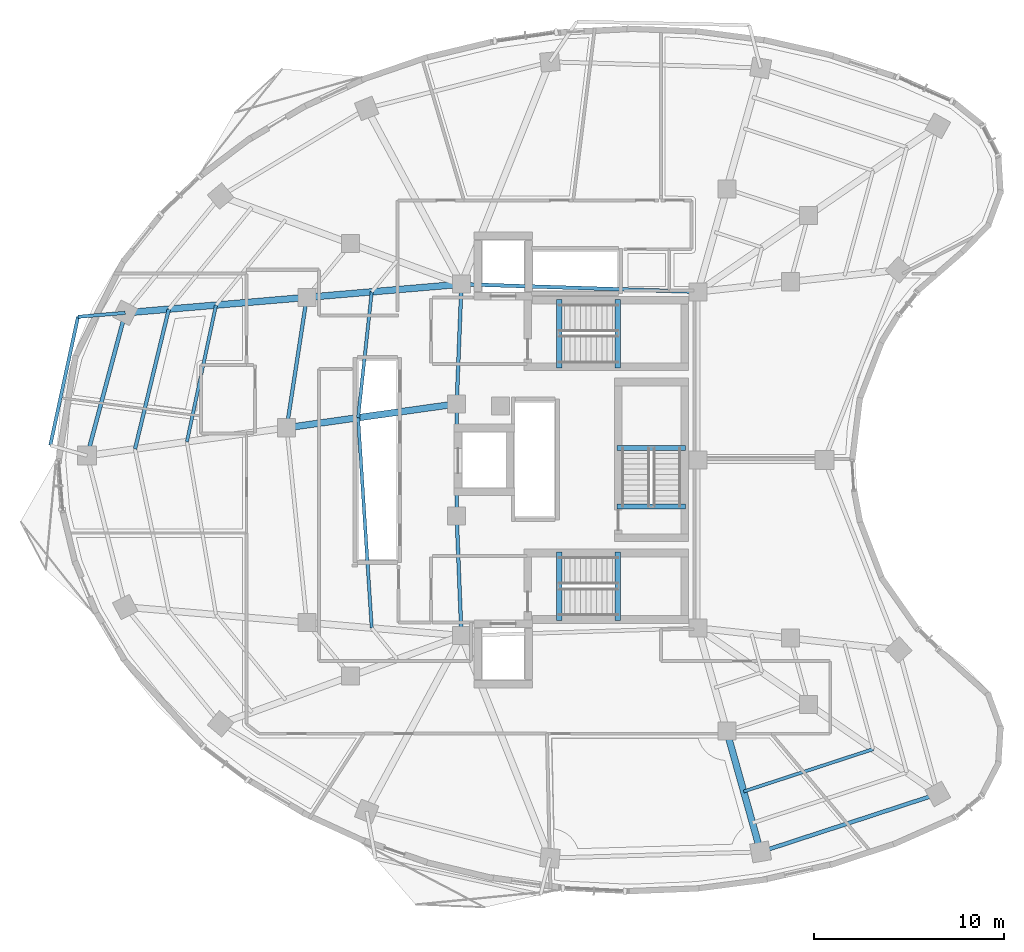
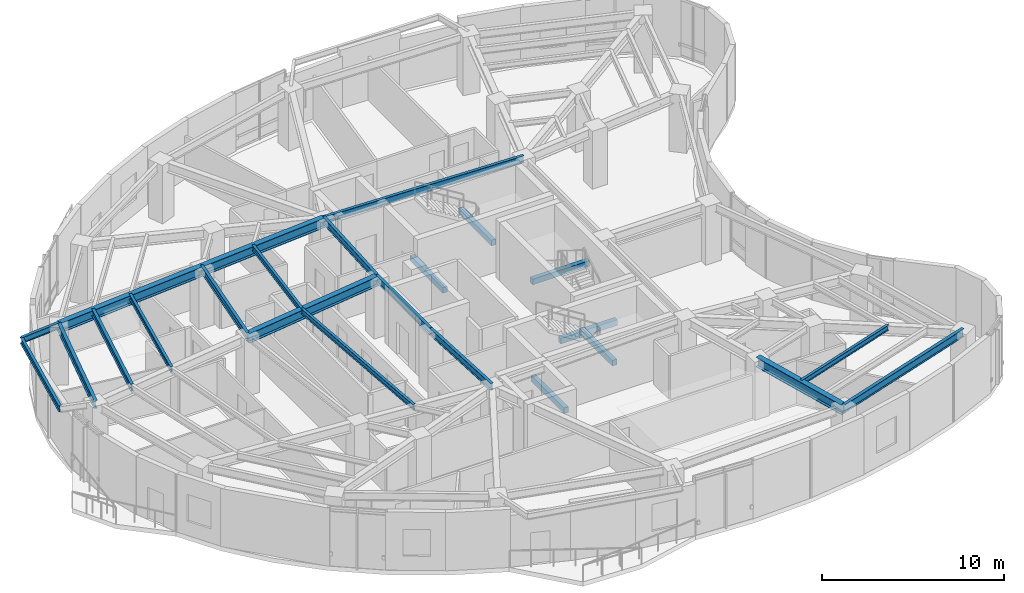
# One storey, part 3 of 15: 24 beams.
"""IFC4 building model written with IfcOpenShell, lengths in metres."""

from ifc_helpers import new_model, si_unit, direction, frame, origin, origin_2d, place, context, subcontext, project, spatial, rectangle, i_section, extrude, material, material_profile, profile_set, type_object, element, save


model = new_model("IFC4")

# Units and contexts
model_context = context("Model", 3, precision=1e-05, world=origin(), true_north=direction((0.0, 1.0)))
body_context = subcontext(model_context, "Body", "Model", "MODEL_VIEW")
ifc_project = project(units=[si_unit("LENGTHUNIT", "METRE"), si_unit("AREAUNIT", "SQUARE_METRE"), si_unit("VOLUMEUNIT", "CUBIC_METRE"), si_unit("PLANEANGLEUNIT", "RADIAN"), si_unit("MASSUNIT", "GRAM", prefix="KILO")], contexts=[model_context])

# Site, building, storey
site_placement = place(None, origin())
site = spatial("IfcSite", under=ifc_project, at=site_placement, CompositionType="ELEMENT")
building_placement = place(site_placement, origin())
building = spatial("IfcBuilding", under=site, at=building_placement, Name="Korentha Bioscience Tower", CompositionType="ELEMENT")
storey_placement = place(building_placement, frame((0.0, 0.0, 226.800048828125)))
storey = spatial("IfcBuildingStorey", under=building, at=storey_placement, Name="L52", CompositionType="ELEMENT", Elevation=226.800048828125)

# Beams
ifc_material_1 = material(Name="Concrete C50", Category="concrete")
ifc_material_profile_1 = material_profile(ifc_material_1, rectangle(XDim=0.280029296875, YDim=0.3798828125, at=origin_2d()), Name="Concrete C50")
ifc_profile_set_1 = profile_set([ifc_material_profile_1], Name="Concrete C50 (ST-HB380)")
beam_type_1 = type_object("IfcBeamType", Name="Concrete Stair Header Beam RC 280x380", PredefinedType="BEAM", material=ifc_profile_set_1)
for number, where, z_axis, x_axis, name in (
    (1, (30.25, 31.85009765625, -0.18994140625), (0.0, 1.0, 0.0), (-1.0, 0.0, 0.0), "L52 ST-1 Concrete Stair Header Beam"),
    (2, (33.330078125, 31.85009765625, 1.909912109375), (0.0, 1.0, 0.0), (-1.0, 0.0, 0.0), "L52 ST-1 Half-Landing Header Beam 1"),
    (3, (30.25, 18.550048828125, -0.18994140625), (0.0, 1.0, 0.0), (-1.0, 0.0, 0.0), "L52 ST-2 Concrete Stair Header Beam"),
    (4, (33.330078125, 18.550048828125, 1.909912109375), (0.0, 1.0, 0.0), (-1.0, 0.0, 0.0), "L52 ST-2 Half-Landing Header Beam 1"),
    (5, (36.89990234375, 24.550048828125, -0.18994140625), (-1.0, 0.0, 0.0), (0.0, -1.0, 0.0), "L52 ST-3 Concrete Stair Header Beam"),
    (6, (36.89990234375, 27.6298828125, 1.909912109375), (-1.0, 0.0, 0.0), (0.0, -1.0, 0.0), "L52 ST-3 Half-Landing Header Beam 1"),
):
    element("IfcBeam", number, at=place(storey_placement, frame(where, z_axis=z_axis, x_axis=x_axis)), inside=storey, type_object=beam_type_1, Name=name, PredefinedType="BEAM", context=body_context, shape_type="SweptSolid", body=[
        extrude(rectangle(XDim=0.280029296875, YDim=0.3798828125, at=origin_2d()), origin(), (0.0, 0.0, 1.0), 3.599853515625),
    ])
ifc_material_2 = material(Name="Steel S355", Category="steel")
ifc_material_profile_2 = material_profile(ifc_material_2, i_section(OverallWidth=0.18994140625, OverallDepth=0.45703125, WebThickness=0.009033203125, FlangeThickness=0.014404296875, at=origin_2d()), Name="Steel S355")
ifc_profile_set_2 = profile_set([ifc_material_profile_2], Name="Steel S355 (MB-460)")
beam_type_2 = type_object("IfcBeamType", Name="Mid-Ring Tie Girder W460x74", PredefinedType="BEAM", material=ifc_profile_set_2)
beam_1_placement = place(storey_placement, frame((16.96044921875, 35.555908203125, 3.67138671875), z_axis=(-0.152313520838, -0.988332227224, 0.0), x_axis=(0.988332227224, -0.152313520838, 0.0)))
element("IfcBeam", 7, at=beam_1_placement, inside=storey, type_object=beam_type_2, Name="L52 Mid-Ring Tie Girder 06", PredefinedType="BEAM", context=body_context, shape_type="SweptSolid", body=[
    extrude(i_section(OverallWidth=0.18994140625, OverallDepth=0.45703125, WebThickness=0.009033203125, FlangeThickness=0.014404296875, at=origin_2d()), origin(), (0.0, 0.0, 1.0), 6.942138671875),
])
beam_2_placement = place(storey_placement, frame((37.550048828125, 35.85009765625, 3.67138671875), z_axis=(-0.999484526071, 0.032104238723, 0.0), x_axis=(-0.032104238723, -0.999484526071, 0.0)))
element("IfcBeam", 8, at=beam_2_placement, inside=storey, type_object=beam_type_2, Name="L52 Core Ring Tie Girder 01", PredefinedType="BEAM", context=body_context, shape_type="SweptSolid", body=[
    extrude(i_section(OverallWidth=0.18994140625, OverallDepth=0.45703125, WebThickness=0.009033203125, FlangeThickness=0.014404296875, at=origin_2d()), origin(), (0.0, 0.0, 1.0), 12.456298828125),
])
beam_3_placement = place(storey_placement, frame((25.10009765625, 36.25, 3.67138671875), z_axis=(-0.039651025576, -0.999213588864, 0.0), x_axis=(0.999213588864, -0.039651025576, 0.0)))
element("IfcBeam", 9, at=beam_3_placement, inside=storey, type_object=beam_type_2, Name="L52 Core Ring Tie Girder 02", PredefinedType="BEAM", context=body_context, shape_type="SweptSolid", body=[
    extrude(i_section(OverallWidth=0.18994140625, OverallDepth=0.45703125, WebThickness=0.009033203125, FlangeThickness=0.014404296875, at=origin_2d()), origin(), (0.0, 0.0, 1.0), 6.304931640625),
])
beam_4_placement = place(storey_placement, frame((24.85009765625, 29.949951171875, 3.67138671875), z_axis=(0.0, -1.0, 0.0), x_axis=(1.0, 0.0, 0.0)))
element("IfcBeam", 10, at=beam_4_placement, inside=storey, type_object=beam_type_2, Name="L52 Core Ring Tie Girder 03", PredefinedType="BEAM", context=body_context, shape_type="SweptSolid", body=[
    extrude(i_section(OverallWidth=0.18994140625, OverallDepth=0.45703125, WebThickness=0.009033203125, FlangeThickness=0.014404296875, at=origin_2d()), origin(), (0.0, 0.0, 1.0), 5.89990234375),
])
beam_5_placement = place(storey_placement, frame((24.85009765625, 24.050048828125, 3.67138671875), z_axis=(0.039651025576, -0.999213588864, 0.0), x_axis=(0.999213588864, 0.039651025576, 0.0)))
element("IfcBeam", 11, at=beam_5_placement, inside=storey, type_object=beam_type_2, Name="L52 Core Ring Tie Girder 04", PredefinedType="BEAM", context=body_context, shape_type="SweptSolid", body=[
    extrude(i_section(OverallWidth=0.18994140625, OverallDepth=0.45703125, WebThickness=0.009033203125, FlangeThickness=0.014404296875, at=origin_2d()), origin(), (0.0, 0.0, 1.0), 6.304931640625),
])
ifc_material_profile_3 = material_profile(ifc_material_2, i_section(OverallWidth=0.208984375, OverallDepth=0.532958984375, WebThickness=0.01025390625, FlangeThickness=0.015625, at=origin_2d()), Name="Steel S355")
ifc_profile_set_3 = profile_set([ifc_material_profile_3], Name="Steel S355 (SB-530)")
beam_type_3 = type_object("IfcBeamType", Name="Perimeter Ring Spandrel Girder W530x92", PredefinedType="SPANDREL", material=ifc_profile_set_3)
beam_6_placement = place(storey_placement, frame((7.4052734375, 34.741455078125, 3.633544921875), z_axis=(-0.257674365533, -0.966231815532, 0.0), x_axis=(0.966231815532, -0.257674365533, 0.0)))
element("IfcBeam", 12, at=beam_6_placement, inside=storey, type_object=beam_type_3, Name="L52 Perimeter Spandrel Girder 06", PredefinedType="SPANDREL", context=body_context, shape_type="SweptSolid", body=[
    extrude(i_section(OverallWidth=0.208984375, OverallDepth=0.532958984375, WebThickness=0.01025390625, FlangeThickness=0.015625, at=origin_2d()), origin(), (0.0, 0.0, 1.0), 7.782470703125),
])
beam_7_placement = place(storey_placement, frame((40.846923828125, 6.367919921875, 3.633544921875), z_axis=(0.950449256032, 0.310879738338, 0.0), x_axis=(-0.310879738338, 0.950449256032, 0.0)))
element("IfcBeam", 13, at=beam_7_placement, inside=storey, type_object=beam_type_3, Name="L52 Perimeter Spandrel Girder 12", PredefinedType="SPANDREL", context=body_context, shape_type="SweptSolid", body=[
    extrude(i_section(OverallWidth=0.208984375, OverallDepth=0.532958984375, WebThickness=0.01025390625, FlangeThickness=0.015625, at=origin_2d()), origin(), (0.0, 0.0, 1.0), 9.81494140625),
])
ifc_material_profile_4 = material_profile(ifc_material_2, i_section(OverallWidth=0.18994140625, OverallDepth=0.45703125, WebThickness=0.009033203125, FlangeThickness=0.014404296875, at=origin_2d()), Name="Steel S355")
ifc_profile_set_4 = profile_set([ifc_material_profile_4], Name="Steel S355 (RB-460)")
beam_type_4 = type_object("IfcBeamType", Name="Radial Laboratory Beam W460x74", PredefinedType="BEAM", material=ifc_profile_set_4)
beam_8_placement = place(storey_placement, frame((9.698486328125, 34.93701171875, 3.67138671875), z_axis=(-0.234745571737, -0.972056848415, 0.0), x_axis=(0.972056848415, -0.234745571737, 0.0)))
element("IfcBeam", 14, at=beam_8_placement, inside=storey, type_object=beam_type_4, Name="L52 Secondary Floor Beam JSTO-06", PredefinedType="BEAM", context=body_context, shape_type="SweptSolid", body=[
    extrude(i_section(OverallWidth=0.18994140625, OverallDepth=0.45703125, WebThickness=0.009033203125, FlangeThickness=0.014404296875, at=origin_2d()), origin(), (0.0, 0.0, 1.0), 7.573486328125),
])
ifc_material_profile_5 = material_profile(ifc_material_2, i_section(OverallWidth=0.35009765625, OverallDepth=0.64990234375, WebThickness=0.01611328125, FlangeThickness=0.02490234375, at=origin_2d()), Name="Steel S355")
ifc_profile_set_5 = profile_set([ifc_material_profile_5], Name="Steel S355 (RB-650)")
beam_type_5 = type_object("IfcBeamType", Name="Radial Laboratory Girder CVS 650x208", PredefinedType="BEAM", material=ifc_profile_set_5)
beam_9_placement = place(storey_placement, frame((25.10009765625, 36.25, 3.574951171875), z_axis=(-0.996383970884, -0.084964595957, 0.0), x_axis=(0.084964595957, -0.996383970884, 0.0)))
element("IfcBeam", 15, at=beam_9_placement, inside=storey, type_object=beam_type_5, Name="L52 Inner Radial Girder 06", PredefinedType="BEAM", context=body_context, shape_type="SweptSolid", body=[
    extrude(i_section(OverallWidth=0.35009765625, OverallDepth=0.64990234375, WebThickness=0.01611328125, FlangeThickness=0.02490234375, at=origin_2d()), origin(), (0.0, 0.0, 1.0), 8.169189453125),
])
beam_10_placement = place(storey_placement, frame((16.96044921875, 35.555908203125, 3.574951171875), z_axis=(-0.996387014591, -0.084928894698, 0.0), x_axis=(0.084928894698, -0.996387014591, 0.0)))
element("IfcBeam", 16, at=beam_10_placement, inside=storey, type_object=beam_type_5, Name="L52 Outer Radial Girder 06", PredefinedType="BEAM", context=body_context, shape_type="SweptSolid", body=[
    extrude(i_section(OverallWidth=0.35009765625, OverallDepth=0.64990234375, WebThickness=0.01611328125, FlangeThickness=0.02490234375, at=origin_2d()), origin(), (0.0, 0.0, 1.0), 9.58984375),
])
beam_11_placement = place(storey_placement, frame((24.85009765625, 29.949951171875, 3.574951171875), z_axis=(-0.990303045163, -0.138924003471, 0.0), x_axis=(0.138924003471, -0.990303045163, 0.0)))
element("IfcBeam", 17, at=beam_11_placement, inside=storey, type_object=beam_type_5, Name="L52 Inner Radial Girder 07", PredefinedType="BEAM", context=body_context, shape_type="SweptSolid", body=[
    extrude(i_section(OverallWidth=0.35009765625, OverallDepth=0.64990234375, WebThickness=0.01611328125, FlangeThickness=0.02490234375, at=origin_2d()), origin(), (0.0, 0.0, 1.0), 9.03466796875),
])
beam_12_placement = place(storey_placement, frame((39.066650390625, 12.730224609375, 3.574951171875), z_axis=(0.269465439817, -0.963010060562, 0.0), x_axis=(0.963010060562, 0.269465439817, 0.0)))
element("IfcBeam", 18, at=beam_12_placement, inside=storey, type_object=beam_type_5, Name="L52 Outer Radial Girder 12", PredefinedType="BEAM", context=body_context, shape_type="SweptSolid", body=[
    extrude(i_section(OverallWidth=0.35009765625, OverallDepth=0.64990234375, WebThickness=0.01611328125, FlangeThickness=0.02490234375, at=origin_2d()), origin(), (0.0, 0.0, 1.0), 6.606689453125),
])
ifc_material_profile_6 = material_profile(ifc_material_2, i_section(OverallWidth=0.1708984375, OverallDepth=0.35498046875, WebThickness=0.007080078125, FlangeThickness=0.01171875, at=origin_2d()), Name="Steel S355")
ifc_profile_set_6 = profile_set([ifc_material_profile_6], Name="Steel S355 (JB-360)")
beam_type_6 = type_object("IfcBeamType", Name="Secondary Laboratory Joist W360x51", PredefinedType="JOIST", material=ifc_profile_set_6)
beam_13_placement = place(storey_placement, frame((12.182861328125, 35.148681640625, 3.722412109375), z_axis=(-0.208286097384, -0.978067943262, 0.0), x_axis=(0.978067943262, -0.208286097384, 0.0)))
element("IfcBeam", 19, at=beam_13_placement, inside=storey, type_object=beam_type_6, Name="L52 Secondary Floor Beam JST-06", PredefinedType="JOIST", context=body_context, shape_type="SweptSolid", body=[
    extrude(i_section(OverallWidth=0.1708984375, OverallDepth=0.35498046875, WebThickness=0.007080078125, FlangeThickness=0.01171875, at=origin_2d()), origin(), (0.0, 0.0, 1.0), 7.3515625),
])
beam_14_placement = place(storey_placement, frame((20.37890625, 35.847412109375, 3.722412109375), z_axis=(-0.107777397045, -0.99417505133, 0.0), x_axis=(0.99417505133, -0.107777397045, 0.0)))
element("IfcBeam", 20, at=beam_14_placement, inside=storey, type_object=beam_type_6, Name="L52 Inner Bay Joist 06", PredefinedType="JOIST", context=body_context, shape_type="SweptSolid", body=[
    extrude(i_section(OverallWidth=0.1708984375, OverallDepth=0.35498046875, WebThickness=0.007080078125, FlangeThickness=0.01171875, at=origin_2d()), origin(), (0.0, 0.0, 1.0), 6.664306640625),
])
beam_15_placement = place(storey_placement, frame((19.66064453125, 29.221923828125, 3.722412109375), z_axis=(0.064751345522, -0.997901429628, 0.0), x_axis=(0.997901429628, 0.064751345522, 0.0)))
element("IfcBeam", 21, at=beam_15_placement, inside=storey, type_object=beam_type_6, Name="L52 Inner Bay Joist 07", PredefinedType="JOIST", context=body_context, shape_type="SweptSolid", body=[
    extrude(i_section(OverallWidth=0.1708984375, OverallDepth=0.35498046875, WebThickness=0.007080078125, FlangeThickness=0.01171875, at=origin_2d()), origin(), (0.0, 0.0, 1.0), 11.092529296875),
])
beam_16_placement = place(storey_placement, frame((39.956787109375, 9.54931640625, 3.722412109375), z_axis=(0.950453704863, 0.310866136646, 0.0), x_axis=(-0.310866136646, 0.950453704863, 0.0)))
element("IfcBeam", 22, at=beam_16_placement, inside=storey, type_object=beam_type_6, Name="L52 Secondary Floor Beam JST-12", PredefinedType="JOIST", context=body_context, shape_type="SweptSolid", body=[
    extrude(i_section(OverallWidth=0.1708984375, OverallDepth=0.35498046875, WebThickness=0.007080078125, FlangeThickness=0.01171875, at=origin_2d()), origin(), (0.0, 0.0, 1.0), 7.164794921875),
])
ifc_material_profile_7 = material_profile(ifc_material_2, i_section(OverallWidth=0.177978515625, OverallDepth=0.406982421875, WebThickness=0.0078125, FlangeThickness=0.0126953125, at=origin_2d()), Name="Steel S355")
ifc_profile_set_7 = profile_set([ifc_material_profile_7], Name="Steel S355 (CB-410)")
beam_type_7 = type_object("IfcBeamType", Name="Sun-Ledge Cantilever Beam W410x60", PredefinedType="BEAM", material=ifc_profile_set_7)
beam_17_placement = place(storey_placement, frame((7.4052734375, 34.741455078125, 3.698486328125), z_axis=(-0.996527515285, -0.083264105597, 0.0), x_axis=(0.083264105597, -0.996527515285, 0.0)))
element("IfcBeam", 23, at=beam_17_placement, inside=storey, type_object=beam_type_7, Name="L52 Balcony Cantilever Bracket A-L53-02", PredefinedType="BEAM", context=body_context, shape_type="SweptSolid", body=[
    extrude(i_section(OverallWidth=0.177978515625, OverallDepth=0.406982421875, WebThickness=0.0078125, FlangeThickness=0.0126953125, at=origin_2d()), origin(), (0.0, 0.0, 1.0), 2.4951171875),
])
beam_18_placement = place(storey_placement, frame((4.918701171875, 34.53369140625, 3.698486328125), z_axis=(-0.210907290935, -0.977506068846, 0.0), x_axis=(0.977506068846, -0.210907290935, 0.0)))
element("IfcBeam", 24, at=beam_18_placement, inside=storey, type_object=beam_type_7, Name="L52 Balcony Edge Trimmer Beam L53-02", PredefinedType="BEAM", context=body_context, shape_type="SweptSolid", body=[
    extrude(i_section(OverallWidth=0.177978515625, OverallDepth=0.406982421875, WebThickness=0.0078125, FlangeThickness=0.0126953125, at=origin_2d()), origin(), (0.0, 0.0, 1.0), 6.918701171875),
])

save(model, "model.ifc")
